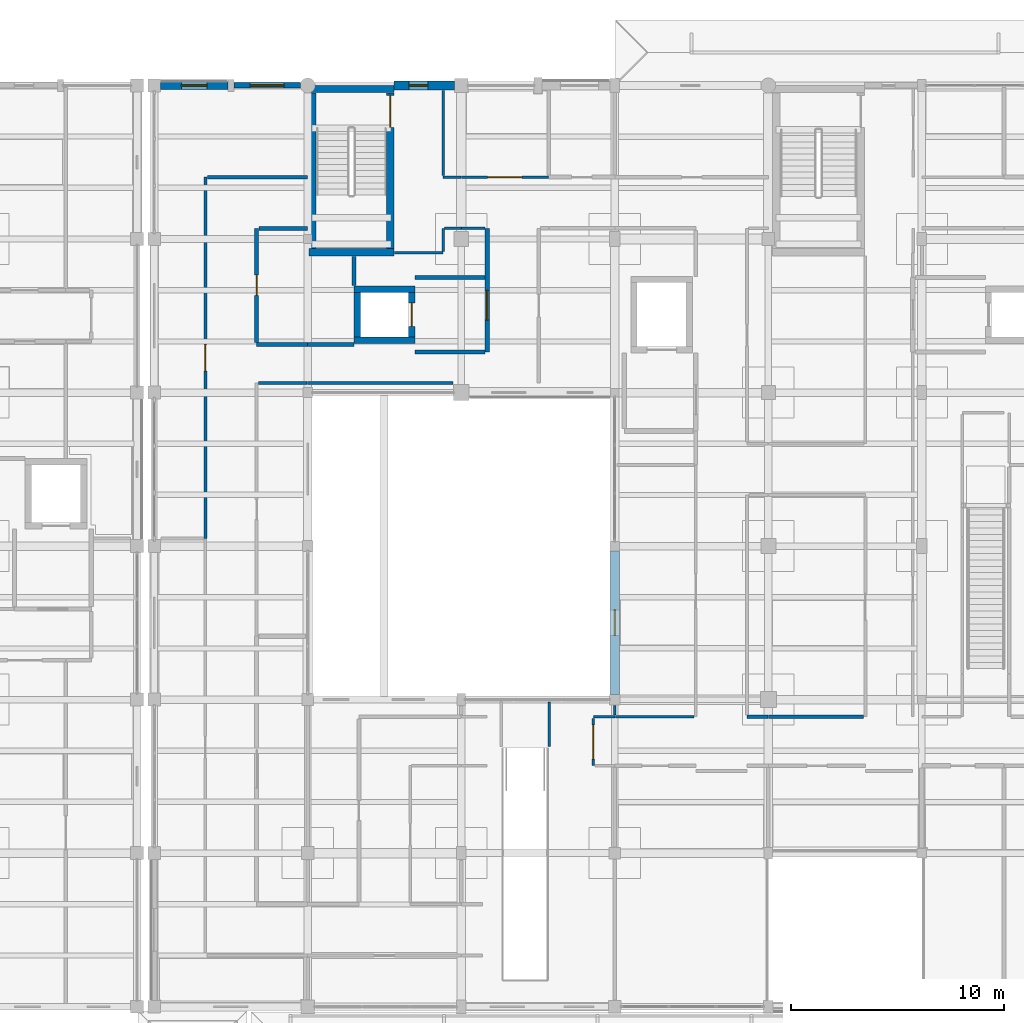
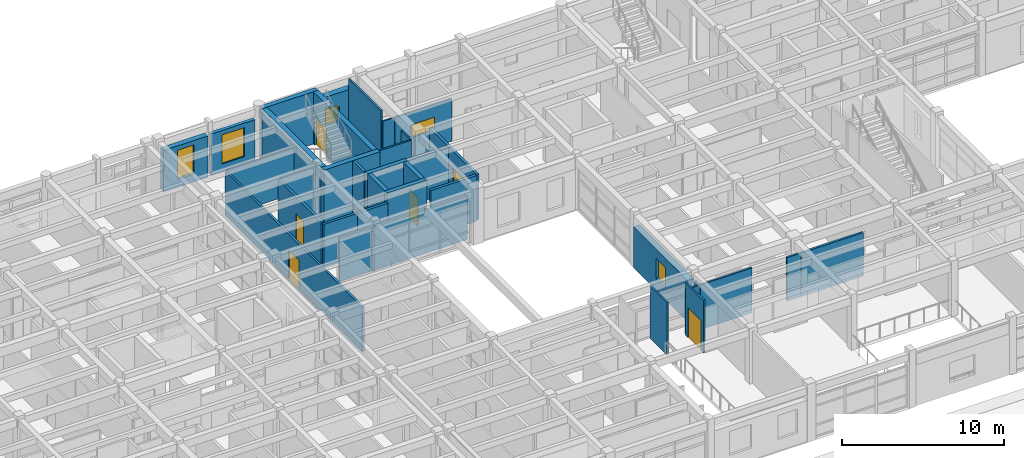
# One storey, part 86 of 110: 38 walls, 7 doors, 4 windows, 11 openings.
"""IFC4 building model written with IfcOpenShell, lengths in metres."""

import ifcopenshell
import ifcopenshell.guid

model = None  # the IFC model being written
_history = None  # IfcOwnerHistory: only IFC2X3 demands one
_inside = {}  # id of a spatial element -> (the spatial element, [elements in it])
_under = {}  # id of a project, library or spatial element -> (it, [spatial elements below it])
_declared = {}  # id of a project -> (the project, [libraries it declares])
_typed = {}  # id of a type object -> (the type object, [elements of that type])
_made_of = {}  # id of a material, layer set ... -> (it, [elements and type objects made of it])


def new_model(schema):
    """Start an empty IFC model of exactly this schema.

    Asked for "IFC4X3", IfcOpenShell would pick the latest addendum, in which some entities
    have other attributes; the version numbers below select the first issue.
    IFC2X3 requires an IfcOwnerHistory on every rooted entity: one is made here for all.
    """
    global model, _history
    if schema == "IFC4X3":
        model = ifcopenshell.file(schema_version=(4, 3, 0, 0))
    else:
        model = ifcopenshell.file(schema=schema)
    _inside.clear()
    _under.clear()
    _declared.clear()
    _typed.clear()
    _made_of.clear()
    _history = None
    if model.schema == "IFC2X3":
        org = make("IfcOrganization", Name="unknown")
        user = make(
            "IfcPersonAndOrganization",
            ThePerson=make("IfcPerson", FamilyName="unknown"),
            TheOrganization=org,
        )
        app = make(
            "IfcApplication",
            ApplicationDeveloper=org,
            Version="unknown",
            ApplicationFullName="unknown",
            ApplicationIdentifier="unknown",
        )
        _history = make(
            "IfcOwnerHistory",
            OwningUser=user,
            OwningApplication=app,
            ChangeAction="ADDED",
            CreationDate=0,
        )
    return model


def make(cls, **values):
    """One entity of the class cls with the attributes given. An attribute that is None is left unset."""
    return model.create_entity(
        cls, **{name: value for name, value in values.items() if value is not None}
    )


def rooted(cls, **values):
    """An entity with a GlobalId (a new one), such as an element, a storey or a relation."""
    return make(cls, GlobalId=ifcopenshell.guid.new(), OwnerHistory=_history, **values)


def si_unit(unit_type, name, prefix=None):
    """IfcSIUnit, for example si_unit("LENGTHUNIT", "METRE", prefix="MILLI")."""
    return make("IfcSIUnit", UnitType=unit_type, Prefix=prefix, Name=name)


def assignment(units):
    """IfcUnitAssignment: the units of a project."""
    return None if units is None else make("IfcUnitAssignment", Units=units)


def point(xyz):
    """IfcCartesianPoint."""
    return None if xyz is None else make("IfcCartesianPoint", Coordinates=xyz)


def direction(xyz):
    """IfcDirection."""
    return None if xyz is None else make("IfcDirection", DirectionRatios=xyz)


def frame(location, z_axis=None, x_axis=None):
    """IfcAxis2Placement3D, a coordinate frame: its origin and axes. An axis left out is left unset."""
    return make(
        "IfcAxis2Placement3D",
        Location=point(location),
        Axis=direction(z_axis),
        RefDirection=direction(x_axis),
    )


def frame_2d(location, x_axis=None):
    """IfcAxis2Placement2D, a coordinate frame in the plane: its origin and x axis."""
    return make(
        "IfcAxis2Placement2D", Location=point(location), RefDirection=direction(x_axis)
    )


def origin():
    """The frame at (0, 0, 0) with its axes left unset."""
    return frame((0.0, 0.0, 0.0))


def place(relative_to, where):
    """IfcLocalPlacement: puts the frame where relative to a parent placement (None: the world)."""
    return make(
        "IfcLocalPlacement", PlacementRelTo=relative_to, RelativePlacement=where
    )


def context(
    kind, dimensions, precision=None, world=None, true_north=None, identifier=None
):
    """IfcGeometricRepresentationContext, for example the 3D "Model" context."""
    return make(
        "IfcGeometricRepresentationContext",
        ContextIdentifier=identifier,
        ContextType=kind,
        CoordinateSpaceDimension=dimensions,
        Precision=precision,
        WorldCoordinateSystem=world,
        TrueNorth=true_north,
    )


def subcontext(parent, identifier, kind, view, scale=None):
    """IfcGeometricRepresentationSubContext, for example "Body" below "Model"."""
    return make(
        "IfcGeometricRepresentationSubContext",
        ContextIdentifier=identifier,
        ContextType=kind,
        ParentContext=parent,
        TargetScale=scale,
        TargetView=view,
    )


def project(units=None, contexts=None):
    """IfcProject with its units and contexts."""
    return rooted(
        "IfcProject",
        Name="project",
        RepresentationContexts=contexts,
        UnitsInContext=assignment(units),
    )


def spatial(cls, under=None, at=None, **own):
    """A site, building, storey or space (cls), placed at a placement, below another one or the project."""
    s = rooted(cls, ObjectPlacement=at, **own)
    if under is not None:
        _under.setdefault(under.id(), (under, []))[1].append(s)
    return s


def profile(cls, at=None, kind="AREA", **sizes):
    """A parametric profile (cls). Its sizes go by their IFC names, for example OverallWidth=200.0."""
    return make(cls, ProfileType=kind, Position=at, **sizes)


def rectangle(**sizes):
    """IfcRectangleProfileDef."""
    return profile("IfcRectangleProfileDef", **sizes)


def extrude(swept, where, along, depth):
    """IfcExtrudedAreaSolid: the profile swept, set in the frame where, extruded along a direction by depth."""
    return make(
        "IfcExtrudedAreaSolid",
        SweptArea=swept,
        Position=where,
        ExtrudedDirection=direction(along),
        Depth=depth,
    )


def shape(context_of_items, identifier, shape_type, items):
    """IfcShapeRepresentation: the items that make up one representation, for example the "Body"."""
    return make(
        "IfcShapeRepresentation",
        ContextOfItems=context_of_items,
        RepresentationIdentifier=identifier,
        RepresentationType=shape_type,
        Items=items,
    )


def material(Name=None, Category=None):
    """IfcMaterial."""
    return make("IfcMaterial", Name=Name, Category=Category)


def layer(
    of_material, thickness, ventilated=None, Name=None, Category=None, Priority=None
):
    """IfcMaterialLayer: one layer of a wall or slab, of a material (None: an air gap)."""
    return make(
        "IfcMaterialLayer",
        Material=of_material,
        LayerThickness=thickness,
        IsVentilated=ventilated,
        Name=Name,
        Category=Category,
        Priority=Priority,
    )


def layer_set(layers, Name=None):
    """IfcMaterialLayerSet."""
    return make("IfcMaterialLayerSet", MaterialLayers=layers, LayerSetName=Name)


def made_of(thing, what):
    """Note that an element or type object is made of a material, layer set ...; save() writes the relation."""
    if what is not None:
        _made_of.setdefault(what.id(), (what, []))[1].append(thing)
    return thing


def type_object(cls, material=None, **own):
    """A type object (cls), such as IfcWallType, which elements share."""
    return made_of(rooted(cls, **own), material)


def element(
    cls,
    number,
    at=None,
    inside=None,
    cuts=None,
    type_object=None,
    material=None,
    context=None,
    identifier="Body",
    shape_type=None,
    held_by="IfcProductDefinitionShape",
    body=None,
    shapes=None,
    **own,
):
    """One element of the class cls, such as IfcWall. Its Tag is "e" and its number.

    at: its placement. inside: the storey or other place that contains it. cuts: it is an
    opening in that element (IfcRelVoidsElement). A single representation is given by context,
    identifier, shape_type and body (its items); several are given by shapes. held_by: the class
    of the entity that holds the representations. save() writes the other relations.
    """
    e = rooted(cls, Tag="e%d" % number, ObjectPlacement=at, **own)
    if body is not None:
        shapes = [shape(context, identifier, shape_type, body)]
    if shapes is not None:
        e.Representation = make(held_by, Representations=shapes)
    if inside is not None:
        _inside.setdefault(inside.id(), (inside, []))[1].append(e)
    if cuts is not None:
        rooted(
            "IfcRelVoidsElement", RelatingBuildingElement=cuts, RelatedOpeningElement=e
        )
    if type_object is not None:
        _typed.setdefault(type_object.id(), (type_object, []))[1].append(e)
    return made_of(e, material)


def fill(opening, filler):
    """IfcRelFillsElement: the door or window that sits in an opening."""
    return rooted(
        "IfcRelFillsElement",
        RelatingOpeningElement=opening,
        RelatedBuildingElement=filler,
    )


def aggregate(whole, parts):
    """IfcRelAggregates: a whole, such as a stair, and the parts it consists of."""
    return rooted("IfcRelAggregates", RelatingObject=whole, RelatedObjects=parts)


def save(model, path):
    """Write the relations noted so far, then the file.

    IfcRelAggregates (storeys below a building ...), IfcRelContainedInSpatialStructure (elements
    in a storey), IfcRelDefinesByType, IfcRelAssociatesMaterial and IfcRelDeclares: one each for
    every whole, place, type object, material and project.
    """
    for whole, parts in _under.values():
        aggregate(whole, parts)
    for where, things in _inside.values():
        rooted(
            "IfcRelContainedInSpatialStructure",
            RelatedElements=things,
            RelatingStructure=where,
        )
    for kind, things in _typed.values():
        rooted("IfcRelDefinesByType", RelatedObjects=things, RelatingType=kind)
    for what, things in _made_of.values():
        rooted("IfcRelAssociatesMaterial", RelatedObjects=things, RelatingMaterial=what)
    for by, libraries in _declared.values():
        rooted("IfcRelDeclares", RelatingContext=by, RelatedDefinitions=libraries)
    model.write(path)


model = new_model("IFC4")

# Units and contexts
model_context = context("Model", 3, precision=1e-05, world=origin(), true_north=direction((0.0, 1.0)))
body_context = subcontext(model_context, "Body", "Model", "MODEL_VIEW")
ifc_project = project(units=[si_unit("LENGTHUNIT", "METRE"), si_unit("AREAUNIT", "SQUARE_METRE"), si_unit("VOLUMEUNIT", "CUBIC_METRE"), si_unit("PLANEANGLEUNIT", "RADIAN"), si_unit("MASSUNIT", "GRAM", prefix="KILO")], contexts=[model_context])

# Site, building, storey
site_placement = place(None, origin())
site = spatial("IfcSite", under=ifc_project, at=site_placement, CompositionType="ELEMENT")
building_placement = place(site_placement, origin())
building = spatial("IfcBuilding", under=site, at=building_placement, Name="Steenspoor Specialist Clinic", CompositionType="ELEMENT")
storey_placement = place(building_placement, frame((0.0, 0.0, 4.800048828125)))
storey = spatial("IfcBuildingStorey", under=building, at=storey_placement, Name="L01", CompositionType="ELEMENT", Elevation=4.800048828125)

# Wall, opening, window
ifc_material_1 = material(Name="Extruded clay brick masonry", Category="masonry")
ifc_layer_1 = layer(ifc_material_1, 0.3798828125)
ifc_layer_set_1 = layer_set([ifc_layer_1], Name="Extruded clay brick masonry")
wall_type_1 = type_object("IfcWallType", Name="W-BRICK-380", PredefinedType="USERDEFINED", material=ifc_layer_set_1)
wall_1_placement = place(storey_placement, frame((52.699951171875, 108.35009765625, 0.0), z_axis=(0.0, 0.0, 1.0), x_axis=(1.0, 0.0, 0.0)))
wall_1 = element("IfcWall", 1, at=wall_1_placement, inside=storey, type_object=wall_type_1, Name="Exterior Brick Wall EW-V4-L01-0117", ObjectType="CAVITY VENEER", PredefinedType="USERDEFINED", context=body_context, shape_type="SweptSolid", body=[
    extrude(rectangle(XDim=3.16015625, YDim=0.3798828125, at=frame_2d((1.580078125, 0.0))), origin(), (0.0, 0.0, 1.0), 3.1298828125),
])
opening_1_placement = place(wall_1_placement, frame((0.97998046875, 0.0, 0.60009765625)))
opening_1 = element("IfcOpeningElement", 2, at=opening_1_placement, cuts=wall_1, Name="Opening WN-15", PredefinedType="OPENING", context=body_context, shape_type="SweptSolid", body=[
    extrude(rectangle(XDim=1.199951171875, YDim=2.199951171875, at=frame_2d((0.60009765625, 1.10009765625))), frame((0.0, 0.199951171875, 0.0), z_axis=(0.0, -1.0, 0.0), x_axis=(1.0, 0.0, 0.0)), (0.0, 0.0, 1.0), 0.39990234375),
])
ifc_material_2 = material(Name="Thermally broken aluminium and low-emissivity glass", Category="aluminium")
window_type_1 = type_object("IfcWindowType", Name="WN-EXT-120X220", PartitioningType="SINGLE_PANEL", PredefinedType="WINDOW", material=ifc_material_2)
window_1_placement = place(opening_1_placement, origin())
window_1 = element("IfcWindow", 3, at=window_1_placement, inside=storey, type_object=window_type_1, Name="Window 0139", OverallHeight=2.199951171875, OverallWidth=1.199951171875, PartitioningType="SINGLE_PANEL", PredefinedType="WINDOW", context=body_context, shape_type="SweptSolid", body=[
    extrude(rectangle(XDim=1.199951171875, YDim=2.199951171875, at=frame_2d((0.60009765625, 1.10009765625))), frame((0.0, 0.030029296875, 0.0), z_axis=(0.0, -1.0, 0.0), x_axis=(1.0, 0.0, 0.0)), (0.0, 0.0, 1.0), 0.06005859375),
])
fill(opening_1, window_1)

ifc_layer_2 = layer(ifc_material_1, 0.43994140625)
ifc_layer_set_2 = layer_set([ifc_layer_2], Name="Extruded clay brick masonry")
wall_type_2 = type_object("IfcWallType", Name="W-BRICK-440", PredefinedType="USERDEFINED", material=ifc_layer_set_2)
wall_2_placement = place(storey_placement, frame((63.64990234375, 108.35009765625, 0.0), z_axis=(0.0, 0.0, 1.0), x_axis=(1.0, 0.0, 0.0)))
wall_2 = element("IfcWall", 4, at=wall_2_placement, inside=storey, type_object=wall_type_2, Name="Exterior Brick Wall EW-V4-L01-0119", ObjectType="CAVITY VENEER", PredefinedType="USERDEFINED", context=body_context, shape_type="SweptSolid", body=[
    extrude(rectangle(XDim=2.8251953125, YDim=0.43994140625, at=frame_2d((1.41259765625, 0.0))), origin(), (0.0, 0.0, 1.0), 3.1298828125),
])
opening_2_placement = place(wall_2_placement, frame((0.68994140625, 0.0, 0.89990234375)))
opening_2 = element("IfcOpeningElement", 5, at=opening_2_placement, cuts=wall_2, Name="Opening WN-21", PredefinedType="OPENING", context=body_context, shape_type="SweptSolid", body=[
    extrude(rectangle(XDim=0.89990234375, YDim=1.199951171875, at=frame_2d((0.449951171875, 0.60009765625))), frame((0.0, 0.22998046875, 0.0), z_axis=(0.0, -1.0, 0.0), x_axis=(1.0, 0.0, 0.0)), (0.0, 0.0, 1.0), 0.4599609375),
])
window_type_2 = type_object("IfcWindowType", Name="WN-EXT-090X120", PartitioningType="SINGLE_PANEL", PredefinedType="WINDOW", material=ifc_material_2)
window_2_placement = place(opening_2_placement, origin())
window_2 = element("IfcWindow", 6, at=window_2_placement, inside=storey, type_object=window_type_2, Name="Window 0141", OverallHeight=1.199951171875, OverallWidth=0.89990234375, PartitioningType="SINGLE_PANEL", PredefinedType="WINDOW", context=body_context, shape_type="SweptSolid", body=[
    extrude(rectangle(XDim=0.89990234375, YDim=1.199951171875, at=frame_2d((0.449951171875, 0.60009765625))), frame((0.0, 0.030029296875, 0.0), z_axis=(0.0, -1.0, 0.0), x_axis=(1.0, 0.0, 0.0)), (0.0, 0.0, 1.0), 0.06005859375),
])
fill(opening_2, window_2)

wall_3_placement = place(storey_placement, frame((74.0, 79.800048828125, 0.0), z_axis=(0.0, 0.0, 1.0), x_axis=(0.0, 1.0, 0.0)))
wall_3 = element("IfcWall", 7, at=wall_3_placement, inside=storey, type_object=wall_type_2, Name="Exterior Brick Wall EW-V4-L01-0131", ObjectType="CAVITY VENEER", PredefinedType="USERDEFINED", context=body_context, shape_type="SweptSolid", body=[
    extrude(rectangle(XDim=6.724853515625, YDim=0.43994140625, at=frame_2d((3.3623046875, 0.0))), origin(), (0.0, 0.0, 1.0), 3.1298828125),
])
opening_3_placement = place(wall_3_placement, frame((2.762451171875, 0.0, 0.89990234375)))
opening_3 = element("IfcOpeningElement", 8, at=opening_3_placement, cuts=wall_3, Name="Opening WN-11", PredefinedType="OPENING", context=body_context, shape_type="SweptSolid", body=[
    extrude(rectangle(XDim=1.199951171875, YDim=1.5, at=frame_2d((0.60009765625, 0.75))), frame((0.0, 0.22998046875, 0.0), z_axis=(0.0, -1.0, 0.0), x_axis=(1.0, 0.0, 0.0)), (0.0, 0.0, 1.0), 0.4599609375),
])
window_type_3 = type_object("IfcWindowType", Name="WN-EXT-120X150", PartitioningType="SINGLE_PANEL", PredefinedType="WINDOW", material=ifc_material_2)
window_3_placement = place(opening_3_placement, origin())
window_3 = element("IfcWindow", 9, at=window_3_placement, inside=storey, type_object=window_type_3, Name="Window 0154", OverallHeight=1.5, OverallWidth=1.199951171875, PartitioningType="SINGLE_PANEL", PredefinedType="WINDOW", context=body_context, shape_type="SweptSolid", body=[
    extrude(rectangle(XDim=1.199951171875, YDim=1.5, at=frame_2d((0.60009765625, 0.75))), frame((0.0, 0.030029296875, 0.0), z_axis=(0.0, -1.0, 0.0), x_axis=(1.0, 0.0, 0.0)), (0.0, 0.0, 1.0), 0.06005859375),
])
fill(opening_3, window_3)

# Walls
ifc_material_3 = material(Name="Gypsum acoustic clinical partition", Category="gypsum")
ifc_layer_3 = layer(ifc_material_3, 0.14990234375)
ifc_layer_set_3 = layer_set([ifc_layer_3], Name="Gypsum acoustic clinical partition")
wall_type_3 = type_object("IfcWallType", Name="W-CLIN-150", PredefinedType="PARTITIONING", material=ifc_layer_set_3)
wall_4_placement = place(storey_placement, frame((81.199951171875, 78.75, 0.0), z_axis=(0.0, 0.0, 1.0), x_axis=(1.0, 0.0, 0.0)))
element("IfcWall", 10, at=wall_4_placement, inside=storey, type_object=wall_type_3, Name="Interior Partition IW-V4-L01-0894", PredefinedType="PARTITIONING", context=body_context, shape_type="SweptSolid", body=[
    extrude(rectangle(XDim=4.4599609375, YDim=0.14990234375, at=frame_2d((2.22998046875, 0.0))), origin(), (0.0, 0.0, 1.0), 3.284912109375),
])
wall_5_placement = place(storey_placement, frame((80.199951171875, 78.75, 0.0), z_axis=(0.0, 0.0, 1.0), x_axis=(1.0, 0.0, 0.0)))
element("IfcWall", 11, at=wall_5_placement, inside=storey, type_object=wall_type_3, Name="Interior Partition IW-V4-L01-0895", PredefinedType="PARTITIONING", context=body_context, shape_type="SweptSolid", body=[
    extrude(rectangle(XDim=0.985107421875, YDim=0.14990234375, at=frame_2d((0.49267578125, 0.0))), origin(), (0.0, 0.0, 1.0), 3.284912109375),
])
wall_6_placement = place(storey_placement, frame((57.2900390625, 94.39990234375, 0.0), z_axis=(0.0, 0.0, 1.0), x_axis=(1.0, 0.0, 0.0)))
element("IfcWall", 12, at=wall_6_placement, inside=storey, type_object=wall_type_3, Name="Interior Partition IW-V4-L01-0901", PredefinedType="PARTITIONING", context=body_context, shape_type="SweptSolid", body=[
    extrude(rectangle(XDim=2.27001953125, YDim=0.14990234375, at=frame_2d((1.135009765625, 0.0))), origin(), (0.0, 0.0, 1.0), 3.284912109375),
])

# Wall, opening, door
wall_7_placement = place(storey_placement, frame((54.800048828125, 87.10009765625, 0.0), z_axis=(0.0, 0.0, 1.0), x_axis=(0.0, 1.0, 0.0)))
wall_7 = element("IfcWall", 13, at=wall_7_placement, inside=storey, type_object=wall_type_3, Name="Interior Partition IW-V4-L01-0902", PredefinedType="PARTITIONING", context=body_context, shape_type="SweptSolid", body=[
    extrude(rectangle(XDim=16.949951171875, YDim=0.14990234375, at=frame_2d((8.47509765625, 0.0))), origin(), (0.0, 0.0, 1.0), 3.35498046875),
])
opening_4_placement = place(wall_7_placement, frame((7.85009765625, 0.0, 0.0)))
opening_4 = element("IfcOpeningElement", 14, at=opening_4_placement, cuts=wall_7, Name="Opening D0212", PredefinedType="OPENING", context=body_context, shape_type="SweptSolid", body=[
    extrude(rectangle(XDim=1.25, YDim=2.14990234375, at=frame_2d((0.625, 1.074951171875))), frame((0.0, 0.0849609375, 0.0), z_axis=(0.0, -1.0, 0.0), x_axis=(1.0, 0.0, 0.0)), (0.0, 0.0, 1.0), 0.169921875),
])
ifc_material_4 = material(Name="Hygienic HPL clinical timber door", Category="wood")
door_type_1 = type_object("IfcDoorType", Name="DT-EXAM-125X215", OperationType="NOTDEFINED", PredefinedType="DOOR", material=ifc_material_4)
door_1_placement = place(opening_4_placement, origin())
door_1 = element("IfcDoor", 15, at=door_1_placement, inside=storey, type_object=door_type_1, Name="Clinical Door D0212", OperationType="SINGLE_SWING_LEFT", OverallHeight=2.14990234375, OverallWidth=1.25, PredefinedType="DOOR", context=body_context, shape_type="SweptSolid", body=[
    extrude(rectangle(XDim=1.25, YDim=2.14990234375, at=frame_2d((0.625, 1.074951171875))), frame((0.0, 0.02490234375, 0.0), z_axis=(0.0, -1.0, 0.0), x_axis=(1.0, 0.0, 0.0)), (0.0, 0.0, 1.0), 0.050048828125),
])
fill(opening_4, door_1)

# Walls
wall_8_placement = place(storey_placement, frame((54.889892578125, 104.050048828125, 0.0), z_axis=(0.0, 0.0, 1.0), x_axis=(1.0, 0.0, 0.0)))
element("IfcWall", 16, at=wall_8_placement, inside=storey, type_object=wall_type_3, Name="Interior Partition IW-V4-L01-0903", PredefinedType="PARTITIONING", context=body_context, shape_type="SweptSolid", body=[
    extrude(rectangle(XDim=4.710205078125, YDim=0.14990234375, at=frame_2d((2.35498046875, 0.0))), origin(), (0.0, 0.0, 1.0), 3.4150390625),
])
wall_9_placement = place(storey_placement, frame((59.60009765625, 94.39990234375, 0.0), z_axis=(0.0, 0.0, 1.0), x_axis=(1.0, 0.0, 0.0)))
element("IfcWall", 17, at=wall_9_placement, inside=storey, type_object=wall_type_3, Name="Interior Partition IW-V4-L01-0904", PredefinedType="PARTITIONING", context=body_context, shape_type="SweptSolid", body=[
    extrude(rectangle(XDim=6.809814453125, YDim=0.14990234375, at=frame_2d((3.40478515625, 0.0))), origin(), (0.0, 0.0, 1.0), 3.284912109375),
])
ifc_material_5 = material(Name="Concrete C40/50", Category="concrete")
ifc_layer_4 = layer(ifc_material_5, 0.330078125)
ifc_layer_set_4 = layer_set([ifc_layer_4], Name="Concrete C40/50")
wall_type_4 = type_object("IfcWallType", Name="W-ESW-330", PredefinedType="SHEAR", material=ifc_layer_set_4)
wall_10_placement = place(storey_placement, frame((59.64990234375, 108.175048828125, 0.0), z_axis=(0.0, 0.0, 1.0), x_axis=(1.0, 0.0, 0.0)))
element("IfcWall", 18, at=wall_10_placement, inside=storey, type_object=wall_type_4, Name="Core Shear Wall SW-ST-V4A-L01-N", PredefinedType="SHEAR", context=body_context, shape_type="SweptSolid", body=[
    extrude(rectangle(XDim=4.0, YDim=0.330078125, at=frame_2d((2.0, 0.0))), origin(), (0.0, 0.0, 1.0), 3.949951171875),
])
ifc_material_6 = material(Name="Gypsum studio partition board", Category="gypsum")
ifc_layer_5 = layer(ifc_material_6, 0.1201171875)
ifc_layer_set_5 = layer_set([ifc_layer_5], Name="Gypsum studio partition board")
wall_type_5 = type_object("IfcWallType", Name="W-PART-120", PredefinedType="PARTITIONING", material=ifc_layer_set_5)
wall_11_placement = place(storey_placement, frame((73.0, 78.75, 0.0), z_axis=(0.0, 0.0, 1.0), x_axis=(1.0, 0.0, 0.0)))
element("IfcWall", 19, at=wall_11_placement, inside=storey, type_object=wall_type_5, Name="Interior Partition IW-V4-L01-0977", PredefinedType="PARTITIONING", context=body_context, shape_type="SweptSolid", body=[
    extrude(rectangle(XDim=1.0, YDim=0.1201171875, at=frame_2d((0.5, 0.0))), origin(), (0.0, 0.0, 1.0), 3.385009765625),
])

# Wall, opening, door
wall_12_placement = place(storey_placement, frame((73.0, 76.449951171875, 0.0), z_axis=(0.0, 0.0, 1.0), x_axis=(0.0, 1.0, 0.0)))
wall_12 = element("IfcWall", 20, at=wall_12_placement, inside=storey, type_object=wall_type_5, Name="Interior Partition IW-V4-L01-0978", PredefinedType="PARTITIONING", context=body_context, shape_type="SweptSolid", body=[
    extrude(rectangle(XDim=2.22509765625, YDim=0.1201171875, at=frame_2d((1.112548828125, 0.0))), origin(), (0.0, 0.0, 1.0), 3.949951171875),
])
opening_5_placement = place(wall_12_placement, frame((0.3125, 0.0, 0.0)))
opening_5 = element("IfcOpeningElement", 21, at=opening_5_placement, cuts=wall_12, Name="Opening D0193", PredefinedType="OPENING", context=body_context, shape_type="SweptSolid", body=[
    extrude(rectangle(XDim=1.60009765625, YDim=2.25, at=frame_2d((0.800048828125, 1.125))), frame((0.0, 0.070068359375, 0.0), z_axis=(0.0, -1.0, 0.0), x_axis=(1.0, 0.0, 0.0)), (0.0, 0.0, 1.0), 0.14013671875),
])
door_type_2 = type_object("IfcDoorType", Name="DT-PROC-160X225", OperationType="NOTDEFINED", PredefinedType="DOOR", material=ifc_material_4)
door_2_placement = place(opening_5_placement, origin())
door_2 = element("IfcDoor", 22, at=door_2_placement, inside=storey, type_object=door_type_2, Name="Clinical Door D0193", OperationType="SINGLE_SWING_RIGHT", OverallHeight=2.25, OverallWidth=1.60009765625, PredefinedType="DOOR", context=body_context, shape_type="SweptSolid", body=[
    extrude(rectangle(XDim=1.60009765625, YDim=2.25, at=frame_2d((0.800048828125, 1.125))), frame((0.0, 0.02490234375, 0.0), z_axis=(0.0, -1.0, 0.0), x_axis=(1.0, 0.0, 0.0)), (0.0, 0.0, 1.0), 0.050048828125),
])
fill(opening_5, door_2)

# Wall
wall_13_placement = place(storey_placement, frame((74.0400390625, 78.75, 0.0), z_axis=(0.0, 0.0, 1.0), x_axis=(1.0, 0.0, 0.0)))
element("IfcWall", 23, at=wall_13_placement, inside=storey, type_object=wall_type_5, Name="Interior Partition IW-V4-L01-0990", PredefinedType="PARTITIONING", context=body_context, shape_type="SweptSolid", body=[
    extrude(rectangle(XDim=3.68505859375, YDim=0.1201171875, at=frame_2d((1.842529296875, 0.0))), origin(), (0.0, 0.0, 1.0), 3.385009765625),
])

# Wall, opening, door
wall_14_placement = place(storey_placement, frame((66.800048828125, 104.050048828125, 0.0), z_axis=(0.0, 0.0, 1.0), x_axis=(1.0, 0.0, 0.0)))
wall_14 = element("IfcWall", 24, at=wall_14_placement, inside=storey, type_object=wall_type_5, Name="Interior Partition IW-V4-L01-1005", PredefinedType="PARTITIONING", context=body_context, shape_type="SweptSolid", body=[
    extrude(rectangle(XDim=4.0849609375, YDim=0.1201171875, at=frame_2d((2.04248046875, 0.0))), origin(), (0.0, 0.0, 1.0), 3.21484375),
])
opening_6_placement = place(wall_14_placement, frame((1.242431640625, 0.0, 0.0)))
opening_6 = element("IfcOpeningElement", 25, at=opening_6_placement, cuts=wall_14, Name="Opening D0217", PredefinedType="OPENING", context=body_context, shape_type="SweptSolid", body=[
    extrude(rectangle(XDim=1.60009765625, YDim=2.25, at=frame_2d((0.800048828125, 1.125))), frame((0.0, 0.070068359375, 0.0), z_axis=(0.0, -1.0, 0.0), x_axis=(1.0, 0.0, 0.0)), (0.0, 0.0, 1.0), 0.14013671875),
])
door_3_placement = place(opening_6_placement, origin())
door_3 = element("IfcDoor", 26, at=door_3_placement, inside=storey, type_object=door_type_2, Name="Clinical Door D0217", OperationType="SINGLE_SWING_RIGHT", OverallHeight=2.25, OverallWidth=1.60009765625, PredefinedType="DOOR", context=body_context, shape_type="SweptSolid", body=[
    extrude(rectangle(XDim=1.60009765625, YDim=2.25, at=frame_2d((0.800048828125, 1.125))), frame((0.0, 0.02490234375, 0.0), z_axis=(0.0, -1.0, 0.0), x_axis=(1.0, 0.0, 0.0)), (0.0, 0.0, 1.0), 0.050048828125),
])
fill(opening_6, door_3)

# Walls
wall_15_placement = place(storey_placement, frame((65.949951171875, 104.050048828125, 0.0), z_axis=(0.0, 0.0, 1.0), x_axis=(1.0, 0.0, 0.0)))
element("IfcWall", 27, at=wall_15_placement, inside=storey, type_object=wall_type_5, Name="Interior Partition IW-V4-L01-1006", PredefinedType="PARTITIONING", context=body_context, shape_type="SweptSolid", body=[
    extrude(rectangle(XDim=0.8349609375, YDim=0.1201171875, at=frame_2d((0.41748046875, 0.0))), origin(), (0.0, 0.0, 1.0), 3.21484375),
])
wall_16_placement = place(storey_placement, frame((65.949951171875, 104.125, 0.0), z_axis=(0.0, 0.0, 1.0), x_axis=(0.0, 1.0, 0.0)))
element("IfcWall", 28, at=wall_16_placement, inside=storey, type_object=wall_type_5, Name="Interior Partition IW-V4-L01-1007", PredefinedType="PARTITIONING", context=body_context, shape_type="SweptSolid", body=[
    extrude(rectangle(XDim=3.989990234375, YDim=0.1201171875, at=frame_2d((1.9951171875, 0.0))), origin(), (0.0, 0.0, 1.0), 3.949951171875),
])
wall_17_placement = place(storey_placement, frame((63.6650390625, 100.5, 0.0), z_axis=(0.0, 0.0, 1.0), x_axis=(1.0, 0.0, 0.0)))
element("IfcWall", 29, at=wall_17_placement, inside=storey, type_object=wall_type_5, Name="Interior Partition IW-V4-L01-1008", PredefinedType="PARTITIONING", context=body_context, shape_type="SweptSolid", body=[
    extrude(rectangle(XDim=2.284912109375, YDim=0.1201171875, at=frame_2d((1.142578125, 0.0))), origin(), (0.0, 0.0, 1.0), 3.949951171875),
])
wall_18_placement = place(storey_placement, frame((65.949951171875, 100.574951171875, 0.0), z_axis=(0.0, 0.0, 1.0), x_axis=(0.0, 1.0, 0.0)))
element("IfcWall", 30, at=wall_18_placement, inside=storey, type_object=wall_type_5, Name="Interior Partition IW-V4-L01-1009", PredefinedType="PARTITIONING", context=body_context, shape_type="SweptSolid", body=[
    extrude(rectangle(XDim=1.074951171875, YDim=0.1201171875, at=frame_2d((0.53759765625, 0.0))), origin(), (0.0, 0.0, 1.0), 3.949951171875),
])
wall_19_placement = place(storey_placement, frame((66.02490234375, 101.64990234375, 0.0), z_axis=(0.0, 0.0, 1.0), x_axis=(1.0, 0.0, 0.0)))
element("IfcWall", 31, at=wall_19_placement, inside=storey, type_object=wall_type_5, Name="Interior Partition IW-V4-L01-1010", PredefinedType="PARTITIONING", context=body_context, shape_type="SweptSolid", body=[
    extrude(rectangle(XDim=0.775146484375, YDim=0.1201171875, at=frame_2d((0.3876953125, 0.0))), origin(), (0.0, 0.0, 1.0), 3.21484375),
])
wall_20_placement = place(storey_placement, frame((66.81494140625, 101.64990234375, 0.0), z_axis=(0.0, 0.0, 1.0), x_axis=(1.0, 0.0, 0.0)))
element("IfcWall", 32, at=wall_20_placement, inside=storey, type_object=wall_type_5, Name="Interior Partition IW-V4-L01-1011", PredefinedType="PARTITIONING", context=body_context, shape_type="SweptSolid", body=[
    extrude(rectangle(XDim=1.094970703125, YDim=0.1201171875, at=frame_2d((0.54736328125, 0.0))), origin(), (0.0, 0.0, 1.0), 3.21484375),
])
wall_21_placement = place(storey_placement, frame((70.925048828125, 77.35009765625, 0.0), z_axis=(0.0, 0.0, 1.0), x_axis=(0.0, 1.0, 0.0)))
element("IfcWall", 33, at=wall_21_placement, inside=storey, type_object=wall_type_5, Name="Interior Partition IW-V4-L01-1224", PredefinedType="PARTITIONING", context=body_context, shape_type="SweptSolid", body=[
    extrude(rectangle(XDim=2.094970703125, YDim=0.1201171875, at=frame_2d((1.04736328125, 0.0))), origin(), (0.0, 0.0, 1.0), 3.949951171875),
])
wall_22_placement = place(storey_placement, frame((74.0, 78.824951171875, 0.0), z_axis=(0.0, 0.0, 1.0), x_axis=(0.0, 1.0, 0.0)))
element("IfcWall", 34, at=wall_22_placement, inside=storey, type_object=wall_type_5, Name="Interior Partition IW-V4-L01-1225", PredefinedType="PARTITIONING", context=body_context, shape_type="SweptSolid", body=[
    extrude(rectangle(XDim=0.4599609375, YDim=0.1201171875, at=frame_2d((0.22998046875, 0.0))), origin(), (0.0, 0.0, 1.0), 3.385009765625),
])
ifc_material_7 = material(Name="Moisture-resistant gypsum plumbing wall", Category="gypsum")
ifc_layer_6 = layer(ifc_material_7, 0.179931640625)
ifc_layer_set_6 = layer_set([ifc_layer_6], Name="Moisture-resistant gypsum plumbing wall")
wall_type_6 = type_object("IfcWallType", Name="W-PLUMB-180", PredefinedType="PLUMBINGWALL", material=ifc_layer_set_6)
wall_23_placement = place(storey_placement, frame((59.60009765625, 96.199951171875, 0.0), z_axis=(0.0, 0.0, 1.0), x_axis=(1.0, 0.0, 0.0)))
element("IfcWall", 35, at=wall_23_placement, inside=storey, type_object=wall_type_6, Name="Interior Partition IW-V4-L01-0765", PredefinedType="PLUMBINGWALL", context=body_context, shape_type="SweptSolid", body=[
    extrude(rectangle(XDim=2.159912109375, YDim=0.179931640625, at=frame_2d((1.080078125, 0.0))), origin(), (0.0, 0.0, 1.0), 3.284912109375),
])
wall_24_placement = place(storey_placement, frame((57.199951171875, 96.199951171875, 0.0), z_axis=(0.0, 0.0, 1.0), x_axis=(1.0, 0.0, 0.0)))
element("IfcWall", 36, at=wall_24_placement, inside=storey, type_object=wall_type_6, Name="Interior Partition IW-V4-L01-0766", PredefinedType="PLUMBINGWALL", context=body_context, shape_type="SweptSolid", body=[
    extrude(rectangle(XDim=2.385009765625, YDim=0.179931640625, at=frame_2d((1.1923828125, 0.0))), origin(), (0.0, 0.0, 1.0), 3.284912109375),
])

# Wall, opening, door
wall_25_placement = place(storey_placement, frame((57.199951171875, 96.304931640625, 0.0), z_axis=(0.0, 0.0, 1.0), x_axis=(0.0, 1.0, 0.0)))
wall_25 = element("IfcWall", 37, at=wall_25_placement, inside=storey, type_object=wall_type_6, Name="Interior Partition IW-V4-L01-0767", PredefinedType="PLUMBINGWALL", context=body_context, shape_type="SweptSolid", body=[
    extrude(rectangle(XDim=5.344970703125, YDim=0.179931640625, at=frame_2d((2.67236328125, 0.0))), origin(), (0.0, 0.0, 1.0), 3.35498046875),
])
opening_7_placement = place(wall_25_placement, frame((2.197509765625, 0.0, 0.0)))
opening_7 = element("IfcOpeningElement", 38, at=opening_7_placement, cuts=wall_25, Name="Opening D0218", PredefinedType="OPENING", context=body_context, shape_type="SweptSolid", body=[
    extrude(rectangle(XDim=0.949951171875, YDim=2.10009765625, at=frame_2d((0.47509765625, 1.050048828125))), frame((0.0, 0.10009765625, 0.0), z_axis=(0.0, -1.0, 0.0), x_axis=(1.0, 0.0, 0.0)), (0.0, 0.0, 1.0), 0.199951171875),
])
ifc_material_8 = material(Name="Moisture-resistant HPL sanitary door", Category="wood")
door_type_3 = type_object("IfcDoorType", Name="DT-WC-095X210", OperationType="NOTDEFINED", PredefinedType="DOOR", material=ifc_material_8)
door_4_placement = place(opening_7_placement, origin())
door_4 = element("IfcDoor", 39, at=door_4_placement, inside=storey, type_object=door_type_3, Name="Clinical Door D0218", OperationType="SINGLE_SWING_LEFT", OverallHeight=2.10009765625, OverallWidth=0.949951171875, PredefinedType="DOOR", context=body_context, shape_type="SweptSolid", body=[
    extrude(rectangle(XDim=0.949951171875, YDim=2.10009765625, at=frame_2d((0.47509765625, 1.050048828125))), frame((0.0, 0.02490234375, 0.0), z_axis=(0.0, -1.0, 0.0), x_axis=(1.0, 0.0, 0.0)), (0.0, 0.0, 1.0), 0.050048828125),
])
fill(opening_7, door_4)

# Walls
wall_26_placement = place(storey_placement, frame((57.304931640625, 101.64990234375, 0.0), z_axis=(0.0, 0.0, 1.0), x_axis=(1.0, 0.0, 0.0)))
element("IfcWall", 40, at=wall_26_placement, inside=storey, type_object=wall_type_6, Name="Interior Partition IW-V4-L01-0768", PredefinedType="PLUMBINGWALL", context=body_context, shape_type="SweptSolid", body=[
    extrude(rectangle(XDim=2.295166015625, YDim=0.179931640625, at=frame_2d((1.1474609375, 0.0))), origin(), (0.0, 0.0, 1.0), 3.4150390625),
])
wall_27_placement = place(storey_placement, frame((61.77490234375, 98.965087890625, 0.0), z_axis=(0.0, 0.0, 1.0), x_axis=(0.0, 1.0, 0.0)))
element("IfcWall", 41, at=wall_27_placement, inside=storey, type_object=wall_type_6, Name="Interior Partition IW-V4-L01-1098", PredefinedType="PLUMBINGWALL", context=body_context, shape_type="SweptSolid", body=[
    extrude(rectangle(XDim=1.369873046875, YDim=0.179931640625, at=frame_2d((0.68505859375, 0.0))), origin(), (0.0, 0.0, 1.0), 3.949951171875),
])

# Wall, opening, window
ifc_layer_7 = layer(ifc_material_1, 0.260009765625)
ifc_layer_set_7 = layer_set([ifc_layer_7], Name="Extruded clay brick masonry")
wall_type_7 = type_object("IfcWallType", Name="W-SCREEN-260", PredefinedType="SOLIDWALL", material=ifc_layer_set_7)
wall_28_placement = place(storey_placement, frame((56.139892578125, 108.35009765625, 0.0), z_axis=(0.0, 0.0, 1.0), x_axis=(1.0, 0.0, 0.0)))
wall_28 = element("IfcWall", 42, at=wall_28_placement, inside=storey, type_object=wall_type_7, Name="Exterior Brick Wall EW-V4-L01-0118", PredefinedType="SOLIDWALL", context=body_context, shape_type="SweptSolid", body=[
    extrude(rectangle(XDim=3.110107421875, YDim=0.260009765625, at=frame_2d((1.55517578125, 0.0))), origin(), (0.0, 0.0, 1.0), 3.1298828125),
])
opening_8_placement = place(wall_28_placement, frame((0.7548828125, 0.0, 0.60009765625)))
opening_8 = element("IfcOpeningElement", 43, at=opening_8_placement, cuts=wall_28, Name="Opening WN-16", PredefinedType="OPENING", context=body_context, shape_type="SweptSolid", body=[
    extrude(rectangle(XDim=1.60009765625, YDim=2.199951171875, at=frame_2d((0.800048828125, 1.10009765625))), frame((0.0, 0.14013671875, 0.0), z_axis=(0.0, -1.0, 0.0), x_axis=(1.0, 0.0, 0.0)), (0.0, 0.0, 1.0), 0.280029296875),
])
window_type_4 = type_object("IfcWindowType", Name="WN-EXT-160X220", PartitioningType="SINGLE_PANEL", PredefinedType="WINDOW", material=ifc_material_2)
window_4_placement = place(opening_8_placement, origin())
window_4 = element("IfcWindow", 44, at=window_4_placement, inside=storey, type_object=window_type_4, Name="Window 0140", OverallHeight=2.199951171875, OverallWidth=1.60009765625, PartitioningType="SINGLE_PANEL", PredefinedType="WINDOW", context=body_context, shape_type="SweptSolid", body=[
    extrude(rectangle(XDim=1.60009765625, YDim=2.199951171875, at=frame_2d((0.800048828125, 1.10009765625))), frame((0.0, 0.030029296875, 0.0), z_axis=(0.0, -1.0, 0.0), x_axis=(1.0, 0.0, 0.0)), (0.0, 0.0, 1.0), 0.06005859375),
])
fill(opening_8, window_4)

# Wall, opening, door
ifc_material_9 = material(Name="Gypsum acoustic smoke barrier board", Category="gypsum")
ifc_layer_8 = layer(ifc_material_9, 0.199951171875)
ifc_layer_set_8 = layer_set([ifc_layer_8], Name="Gypsum acoustic smoke barrier board")
wall_type_8 = type_object("IfcWallType", Name="W-SMOKE-200", PredefinedType="PARTITIONING", material=ifc_layer_set_8)
wall_29_placement = place(storey_placement, frame((68.02490234375, 95.85009765625, 0.0), z_axis=(0.0, 0.0, 1.0), x_axis=(0.0, 1.0, 0.0)))
wall_29 = element("IfcWall", 45, at=wall_29_placement, inside=storey, type_object=wall_type_8, Name="Interior Partition IW-V4-L01-0674", PredefinedType="PARTITIONING", context=body_context, shape_type="SweptSolid", body=[
    extrude(rectangle(XDim=5.7998046875, YDim=0.199951171875, at=frame_2d((2.89990234375, 0.0))), origin(), (0.0, 0.0, 1.0), 3.454833984375),
])
opening_9_placement = place(wall_29_placement, frame((1.49609375, 0.0, 0.0)))
opening_9 = element("IfcOpeningElement", 46, at=opening_9_placement, cuts=wall_29, Name="Opening D0190", PredefinedType="OPENING", context=body_context, shape_type="SweptSolid", body=[
    extrude(rectangle(XDim=1.39990234375, YDim=2.199951171875, at=frame_2d((0.699951171875, 1.10009765625))), frame((0.0, 0.10986328125, 0.0), z_axis=(0.0, -1.0, 0.0), x_axis=(1.0, 0.0, 0.0)), (0.0, 0.0, 1.0), 0.219970703125),
])
ifc_material_10 = material(Name="Fire-rated clinical laminate door", Category="steel")
door_type_4 = type_object("IfcDoorType", Name="DT-LAB-140X220", OperationType="NOTDEFINED", PredefinedType="DOOR", material=ifc_material_10)
door_5_placement = place(opening_9_placement, origin())
door_5 = element("IfcDoor", 47, at=door_5_placement, inside=storey, type_object=door_type_4, Name="Lift Lobby Fire Door D0190", OperationType="SINGLE_SWING_LEFT", OverallHeight=2.199951171875, OverallWidth=1.39990234375, PredefinedType="DOOR", context=body_context, shape_type="SweptSolid", body=[
    extrude(rectangle(XDim=1.39990234375, YDim=2.199951171875, at=frame_2d((0.699951171875, 1.10009765625))), frame((0.0, 0.02490234375, 0.0), z_axis=(0.0, -1.0, 0.0), x_axis=(1.0, 0.0, 0.0)), (0.0, 0.0, 1.0), 0.050048828125),
])
fill(opening_9, door_5)

# Walls
for number, where, z_axis, x_axis, name in (
    (48, (64.625, 95.85009765625, 0.0), (0.0, 0.0, 1.0), (1.0, 0.0, 0.0), "Interior Partition IW-V4-L01-0675"),
    (49, (64.625, 99.35009765625, 0.0), (0.0, 0.0, 1.0), (1.0, 0.0, 0.0), "Interior Partition IW-V4-L01-0689"),
):
    element("IfcWall", number, at=place(storey_placement, frame(where, z_axis=z_axis, x_axis=x_axis)), inside=storey, type_object=wall_type_8, Name=name, PredefinedType="PARTITIONING", context=body_context, shape_type="SweptSolid", body=[
        extrude(rectangle(XDim=3.284912109375, YDim=0.199951171875, at=frame_2d((1.642578125, 0.0))), origin(), (0.0, 0.0, 1.0), 3.454833984375),
    ])
ifc_layer_9 = layer(ifc_material_5, 0.300048828125)
ifc_layer_set_9 = layer_set([ifc_layer_9], Name="Concrete C40/50")
wall_type_9 = type_object("IfcWallType", Name="W-SW-300", PredefinedType="SHEAR", material=ifc_layer_set_9)
for number, where, z_axis, x_axis, name in (
    (50, (61.77490234375, 96.39990234375, 0.0), (0.0, 0.0, 1.0), (1.0, 0.0, 0.0), "Lift Shaft Shear Wall SW-EL-P2-L01-S"),
    (51, (61.77490234375, 98.800048828125, 0.0), (0.0, 0.0, 1.0), (1.0, 0.0, 0.0), "Lift Shaft Shear Wall SW-EL-P2-L01-N"),
):
    element("IfcWall", number, at=place(storey_placement, frame(where, z_axis=z_axis, x_axis=x_axis)), inside=storey, type_object=wall_type_9, Name=name, PredefinedType="SHEAR", context=body_context, shape_type="SweptSolid", body=[
        extrude(rectangle(XDim=2.85009765625, YDim=0.300048828125, at=frame_2d((1.425048828125, 0.0))), origin(), (0.0, 0.0, 1.0), 3.949951171875),
    ])
wall_30_placement = place(storey_placement, frame((61.925048828125, 96.550048828125, 0.0), z_axis=(0.0, 0.0, 1.0), x_axis=(0.0, 1.0, 0.0)))
element("IfcWall", 52, at=wall_30_placement, inside=storey, type_object=wall_type_9, Name="Lift Shaft Shear Wall SW-EL-P2-L01-W", PredefinedType="SHEAR", context=body_context, shape_type="SweptSolid", body=[
    extrude(rectangle(XDim=2.099853515625, YDim=0.300048828125, at=frame_2d((1.0498046875, 0.0))), origin(), (0.0, 0.0, 1.0), 3.949951171875),
])

# Wall, opening, door
wall_31_placement = place(storey_placement, frame((64.47509765625, 96.550048828125, 0.0), z_axis=(0.0, 0.0, 1.0), x_axis=(0.0, 1.0, 0.0)))
wall_31 = element("IfcWall", 53, at=wall_31_placement, inside=storey, type_object=wall_type_9, Name="Lift Shaft Shear Wall SW-EL-P2-L01-E", PredefinedType="SHEAR", context=body_context, shape_type="SweptSolid", body=[
    extrude(rectangle(XDim=2.099853515625, YDim=0.300048828125, at=frame_2d((1.0498046875, 0.0))), origin(), (0.0, 0.0, 1.0), 3.949951171875),
])
opening_10_placement = place(wall_31_placement, frame((0.5, 0.0, 0.0)))
opening_10 = element("IfcOpeningElement", 54, at=opening_10_placement, cuts=wall_31, Name="Opening LD18", PredefinedType="OPENING", context=body_context, shape_type="SweptSolid", body=[
    extrude(rectangle(XDim=1.10009765625, YDim=2.14990234375, at=frame_2d((0.550048828125, 1.074951171875))), frame((0.0, 0.16015625, 0.0), z_axis=(0.0, -1.0, 0.0), x_axis=(1.0, 0.0, 0.0)), (0.0, 0.0, 1.0), 0.320068359375),
])
ifc_material_11 = material(Name="Stainless steel lift landing door", Category="steel")
door_type_5 = type_object("IfcDoorType", Name="DT-LIFT-P-110", OperationType="NOTDEFINED", PredefinedType="DOOR", material=ifc_material_11)
door_6_placement = place(opening_10_placement, origin())
door_6 = element("IfcDoor", 55, at=door_6_placement, inside=storey, type_object=door_type_5, Name="Lift Landing Door LD18", OperationType="SLIDING_TO_LEFT", OverallHeight=2.14990234375, OverallWidth=1.10009765625, PredefinedType="DOOR", context=body_context, shape_type="SweptSolid", body=[
    extrude(rectangle(XDim=1.10009765625, YDim=2.14990234375, at=frame_2d((0.550048828125, 1.074951171875))), frame((0.0, 0.02490234375, 0.0), z_axis=(0.0, -1.0, 0.0), x_axis=(1.0, 0.0, 0.0)), (0.0, 0.0, 1.0), 0.050048828125),
])
fill(opening_10, door_6)

# Walls
ifc_layer_10 = layer(ifc_material_5, 0.35009765625)
ifc_layer_set_10 = layer_set([ifc_layer_10], Name="Concrete C40/50")
wall_type_10 = type_object("IfcWallType", Name="W-SW-350", PredefinedType="SHEAR", material=ifc_layer_set_10)
wall_32_placement = place(storey_placement, frame((59.64990234375, 100.52490234375, 0.0), z_axis=(0.0, 0.0, 1.0), x_axis=(1.0, 0.0, 0.0)))
element("IfcWall", 56, at=wall_32_placement, inside=storey, type_object=wall_type_10, Name="Core Shear Wall SW-ST-V4A-L01-S", PredefinedType="SHEAR", context=body_context, shape_type="SweptSolid", body=[
    extrude(rectangle(XDim=4.0, YDim=0.35009765625, at=frame_2d((2.0, 0.0))), origin(), (0.0, 0.0, 1.0), 3.949951171875),
])
wall_33_placement = place(storey_placement, frame((59.824951171875, 100.699951171875, 0.0), z_axis=(0.0, 0.0, 1.0), x_axis=(0.0, 1.0, 0.0)))
element("IfcWall", 57, at=wall_33_placement, inside=storey, type_object=wall_type_10, Name="Core Shear Wall SW-ST-V4A-L01-W", PredefinedType="SHEAR", context=body_context, shape_type="SweptSolid", body=[
    extrude(rectangle(XDim=7.300048828125, YDim=0.35009765625, at=frame_2d((3.64990234375, 0.0))), origin(), (0.0, 0.0, 1.0), 3.949951171875),
])

# Wall, opening, door
wall_34_placement = place(storey_placement, frame((63.47509765625, 100.699951171875, 0.0), z_axis=(0.0, 0.0, 1.0), x_axis=(0.0, 1.0, 0.0)))
wall_34 = element("IfcWall", 58, at=wall_34_placement, inside=storey, type_object=wall_type_10, Name="Core Shear Wall SW-ST-V4A-L01-E", PredefinedType="SHEAR", context=body_context, shape_type="SweptSolid", body=[
    extrude(rectangle(XDim=7.300048828125, YDim=0.35009765625, at=frame_2d((3.64990234375, 0.0))), origin(), (0.0, 0.0, 1.0), 3.949951171875),
])
opening_11_placement = place(wall_34_placement, frame((5.679931640625, 0.0, 0.0)))
opening_11 = element("IfcOpeningElement", 59, at=opening_11_placement, cuts=wall_34, Name="Opening SD010", PredefinedType="OPENING", context=body_context, shape_type="SweptSolid", body=[
    extrude(rectangle(XDim=1.5, YDim=2.14990234375, at=frame_2d((0.75, 1.074951171875))), frame((0.0, 0.18505859375, 0.0), z_axis=(0.0, -1.0, 0.0), x_axis=(1.0, 0.0, 0.0)), (0.0, 0.0, 1.0), 0.3701171875),
])
ifc_material_12 = material(Name="Fire-rated steel acoustic door", Category="steel")
door_type_6 = type_object("IfcDoorType", Name="DT-STAIR-150X215", OperationType="NOTDEFINED", PredefinedType="DOOR", material=ifc_material_12)
door_7_placement = place(opening_11_placement, origin())
door_7 = element("IfcDoor", 60, at=door_7_placement, inside=storey, type_object=door_type_6, Name="Exit Stair Fire Door SD010", OperationType="SINGLE_SWING_LEFT", OverallHeight=2.14990234375, OverallWidth=1.5, PredefinedType="DOOR", context=body_context, shape_type="SweptSolid", body=[
    extrude(rectangle(XDim=1.5, YDim=2.14990234375, at=frame_2d((0.75, 1.074951171875))), frame((0.0, 0.02490234375, 0.0), z_axis=(0.0, -1.0, 0.0), x_axis=(1.0, 0.0, 0.0)), (0.0, 0.0, 1.0), 0.050048828125),
])
fill(opening_11, door_7)

save(model, "model.ifc")
